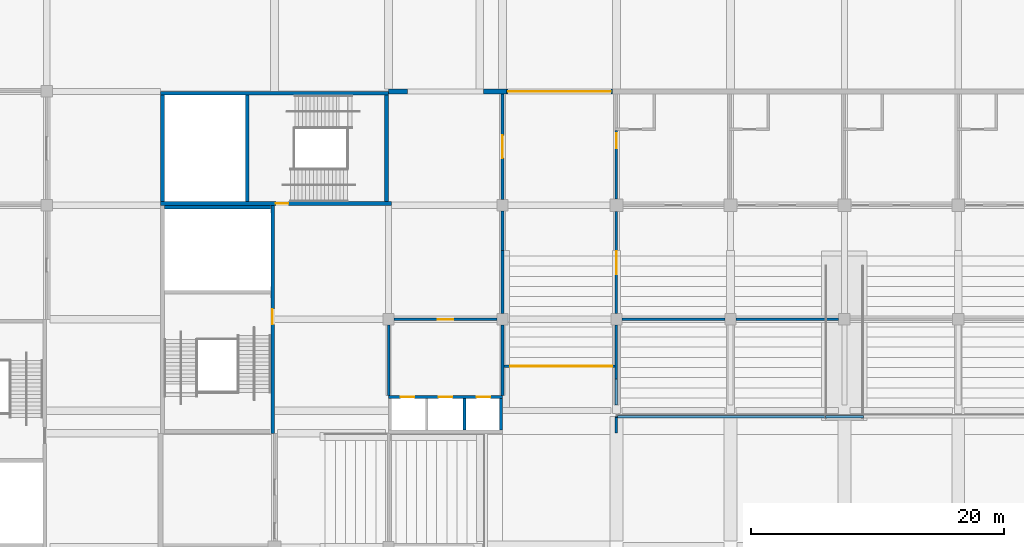
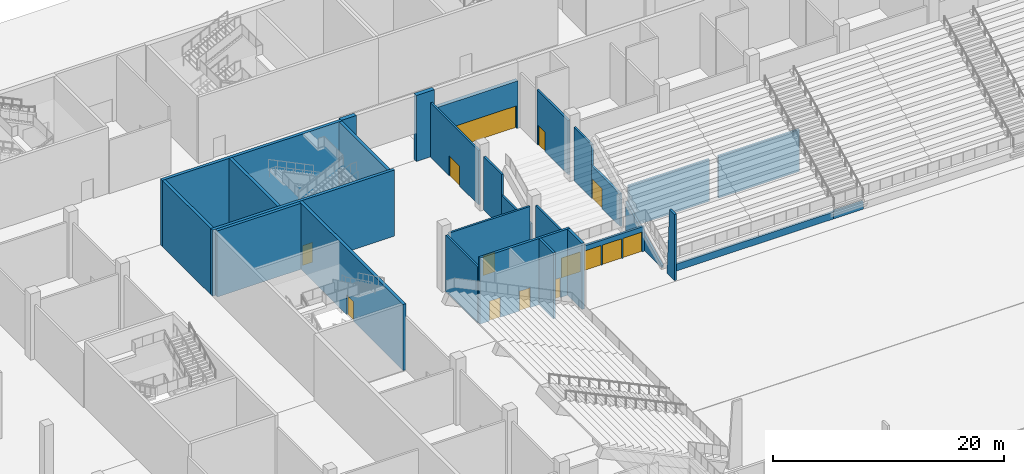
# One storey, part 29 of 92: 29 walls, 14 doors, 14 openings.
"""IFC4 building model written with IfcOpenShell, lengths in metres."""

from ifc_helpers import new_model, si_unit, direction, frame, frame_2d, origin, place, context, subcontext, project, spatial, polyline, rectangle, outline, extrude, material, layer, layer_set, type_object, element, fill, save


model = new_model("IFC4")

# Units and contexts
model_context = context("Model", 3, precision=1e-05, world=origin(), true_north=direction((0.0, 1.0)))
body_context = subcontext(model_context, "Body", "Model", "MODEL_VIEW")
ifc_project = project(units=[si_unit("LENGTHUNIT", "METRE"), si_unit("AREAUNIT", "SQUARE_METRE"), si_unit("VOLUMEUNIT", "CUBIC_METRE"), si_unit("PLANEANGLEUNIT", "RADIAN"), si_unit("MASSUNIT", "GRAM", prefix="KILO")], contexts=[model_context])

# Site, building, storey
site_placement = place(None, origin())
site = spatial("IfcSite", under=ifc_project, at=site_placement, CompositionType="ELEMENT")
building_placement = place(site_placement, origin())
building = spatial("IfcBuilding", under=site, at=building_placement, Name="Silverbay Arena", CompositionType="ELEMENT")
storey_placement = place(building_placement, origin())
storey = spatial("IfcBuildingStorey", under=building, at=storey_placement, Name="L00", CompositionType="ELEMENT", Elevation=0.0)

# Wall, opening, door
ifc_material_1 = material(Name="Concrete Grade C45", Category="concrete")
ifc_layer_1 = layer(ifc_material_1, 0.39990234375)
ifc_layer_set_1 = layer_set([ifc_layer_1], Name="Concrete Grade C45")
wall_type_1 = type_object("IfcWallType", Name="Bowl enclosure wall RC 400 EI 120", PredefinedType="SOLIDWALL", material=ifc_layer_set_1)
wall_1_placement = place(storey_placement, frame((99.300048828125, 126.0, 0.0), z_axis=(0.0, 0.0, 1.0), x_axis=(1.0, 0.0, 0.0)))
wall_1 = element("IfcWall", 1, at=wall_1_placement, inside=storey, type_object=wall_type_1, Name="tunnel floor tunnel NW", PredefinedType="SOLIDWALL", context=body_context, shape_type="SweptSolid", body=[
    extrude(rectangle(XDim=8.39990234375, YDim=0.39990234375, at=frame_2d((4.199951171875, 0.0))), origin(), (0.0, 0.0, 1.0), 5.0),
])
opening_1_placement = place(wall_1_placement, frame((0.14990234375, 0.0, 0.0)))
opening_1 = element("IfcOpeningElement", 2, at=opening_1_placement, cuts=wall_1, Name="Opening L00-225", PredefinedType="OPENING", context=body_context, shape_type="SweptSolid", body=[
    extrude(rectangle(XDim=8.10009765625, YDim=2.39990234375, at=frame_2d((4.050048828125, 1.199951171875))), frame((0.0, 0.2099609375, 0.0), z_axis=(0.0, -1.0, 0.0), x_axis=(1.0, 0.0, 0.0)), (0.0, 0.0, 1.0), 0.419921875),
])
ifc_material_2 = material(Name="Steel", Category="steel")
door_type_1 = type_object("IfcDoorType", Name="Fire door set 8100 x 2400 FD120S tunnel", OperationType="DOUBLE_DOOR_SINGLE_SWING", PredefinedType="DOOR", material=ifc_material_2)
door_1_placement = place(opening_1_placement, origin())
door_1 = element("IfcDoor", 3, at=door_1_placement, inside=storey, type_object=door_type_1, Name="Fire door set L00 tunnel floor tunnel NW", OperationType="DOUBLE_DOOR_SINGLE_SWING", OverallHeight=2.39990234375, OverallWidth=8.10009765625, PredefinedType="DOOR", context=body_context, shape_type="SweptSolid", body=[
    extrude(rectangle(XDim=8.10009765625, YDim=2.39990234375, at=frame_2d((4.050048828125, 1.199951171875))), frame((0.0, 0.02490234375, 0.0), z_axis=(0.0, -1.0, 0.0), x_axis=(1.0, 0.0, 0.0)), (0.0, 0.0, 1.0), 0.050048828125),
])
fill(opening_1, door_1)

ifc_material_3 = material(Name="Concrete Grade C45", Category="concrete")
ifc_layer_2 = layer(ifc_material_3, 0.300048828125)
ifc_layer_set_2 = layer_set([ifc_layer_2], Name="Concrete Grade C45")
wall_type_2 = type_object("IfcWallType", Name="Core wall RC 300 EI 120", PredefinedType="SHEAR", material=ifc_layer_set_2)
wall_2_placement = place(storey_placement, frame((90.25, 117.14990234375, 0.0), z_axis=(0.0, 0.0, 1.0), x_axis=(-1.0, 0.0, 0.0)))
wall_2 = element("IfcWall", 4, at=wall_2_placement, inside=storey, type_object=wall_type_2, Name="Core wall ST-NW1 L00 door side", PredefinedType="SHEAR", context=body_context, shape_type="SweptSolid", body=[
    extrude(rectangle(XDim=18.25, YDim=0.300048828125, at=frame_2d((9.125, 0.0))), origin(), (0.0, 0.0, 1.0), 7.0),
])
opening_2_placement = place(wall_2_placement, frame((8.14990234375, 0.0, 0.0)))
opening_2 = element("IfcOpeningElement", 5, at=opening_2_placement, cuts=wall_2, Name="Opening L00-190", PredefinedType="OPENING", context=body_context, shape_type="SweptSolid", body=[
    extrude(rectangle(XDim=1.0, YDim=2.10009765625, at=frame_2d((0.5, 1.050048828125))), frame((0.0, 0.16015625, 0.0), z_axis=(0.0, -1.0, 0.0), x_axis=(1.0, 0.0, 0.0)), (0.0, 0.0, 1.0), 0.320068359375),
])
ifc_material_4 = material(Name="Steel fire door", Category="steel")
door_type_2 = type_object("IfcDoorType", Name="Stair door 1000 x 2100 fire door", OperationType="SINGLE_SWING_LEFT", PredefinedType="DOOR", material=ifc_material_4)
door_2_placement = place(opening_2_placement, frame((1.0, 0.0, 0.0), z_axis=(0.0, 0.0, 1.0), x_axis=(-1.0, 0.0, 0.0)))
door_2 = element("IfcDoor", 6, at=door_2_placement, inside=storey, type_object=door_type_2, Name="Stair door ST-NW1 L00", OperationType="SINGLE_SWING_RIGHT", OverallHeight=2.10009765625, OverallWidth=1.0, PredefinedType="DOOR", context=body_context, shape_type="SweptSolid", body=[
    extrude(rectangle(XDim=1.0, YDim=2.10009765625, at=frame_2d((0.5, 1.050048828125))), frame((0.0, 0.02490234375, 0.0), z_axis=(0.0, -1.0, 0.0), x_axis=(1.0, 0.0, 0.0)), (0.0, 0.0, 1.0), 0.050048828125),
])
fill(opening_2, door_2)

# Walls
wall_3_placement = place(storey_placement, frame((90.0, 125.85009765625, 0.0), z_axis=(0.0, 0.0, 1.0), x_axis=(-1.0, 0.0, 0.0)))
element("IfcWall", 7, at=wall_3_placement, inside=storey, type_object=wall_type_2, Name="Core wall ST-NW1 L00 far side", PredefinedType="SHEAR", context=body_context, shape_type="SweptSolid", body=[
    extrude(rectangle(XDim=18.0, YDim=0.300048828125, at=frame_2d((9.0, 0.0))), origin(), (0.0, 0.0, 1.0), 7.0),
])
for number, where, z_axis, x_axis, name in (
    (8, (89.85009765625, 117.300048828125, 0.0), (0.0, 0.0, 1.0), (0.0, 1.0, 0.0), "Core wall ST-NW1 L00 end 1"),
    (9, (72.14990234375, 117.300048828125, 0.0), (0.0, 0.0, 1.0), (0.0, 1.0, 0.0), "Core wall ST-NW1 L00 end 2"),
    (10, (78.85009765625, 117.300048828125, 0.0), (0.0, 0.0, 1.0), (0.0, 1.0, 0.0), "Core wall ST-NW1 L00 stair enclosure"),
):
    element("IfcWall", number, at=place(storey_placement, frame(where, z_axis=z_axis, x_axis=x_axis)), inside=storey, type_object=wall_type_2, Name=name, PredefinedType="SHEAR", context=body_context, shape_type="SweptSolid", body=[
        extrude(rectangle(XDim=8.39990234375, YDim=0.300048828125, at=frame_2d((4.199951171875, 0.0))), origin(), (0.0, 0.0, 1.0), 7.0),
    ])

# Wall, opening, door
wall_4_placement = place(storey_placement, frame((80.85009765625, 99.0, 0.0), z_axis=(0.0, 0.0, 1.0), x_axis=(0.0, 1.0, 0.0)))
wall_4 = element("IfcWall", 11, at=wall_4_placement, inside=storey, type_object=wall_type_2, Name="Core wall ST-NW2 L00 door side", PredefinedType="SHEAR", context=body_context, shape_type="SweptSolid", body=[
    extrude(rectangle(XDim=18.0, YDim=0.300048828125, at=frame_2d((9.0, 0.0))), origin(), (0.0, 0.0, 1.0), 7.0),
])
opening_3_placement = place(wall_4_placement, frame((8.60009765625, 0.0, 0.0)))
opening_3 = element("IfcOpeningElement", 12, at=opening_3_placement, cuts=wall_4, Name="Opening L00-191", PredefinedType="OPENING", context=body_context, shape_type="SweptSolid", body=[
    extrude(rectangle(XDim=1.199951171875, YDim=2.10009765625, at=frame_2d((0.60009765625, 1.050048828125))), frame((0.0, 0.16015625, 0.0), z_axis=(0.0, -1.0, 0.0), x_axis=(1.0, 0.0, 0.0)), (0.0, 0.0, 1.0), 0.320068359375),
])
ifc_material_5 = material(Name="Steel fire door", Category="steel")
door_type_3 = type_object("IfcDoorType", Name="Stair door 1200 x 2100 fire door", OperationType="SINGLE_SWING_LEFT", PredefinedType="DOOR", material=ifc_material_5)
door_3_placement = place(opening_3_placement, origin())
door_3 = element("IfcDoor", 13, at=door_3_placement, inside=storey, type_object=door_type_3, Name="Stair door ST-NW2 L00", OperationType="SINGLE_SWING_RIGHT", OverallHeight=2.10009765625, OverallWidth=1.199951171875, PredefinedType="DOOR", context=body_context, shape_type="SweptSolid", body=[
    extrude(rectangle(XDim=1.199951171875, YDim=2.10009765625, at=frame_2d((0.60009765625, 1.050048828125))), frame((0.0, 0.02490234375, 0.0), z_axis=(0.0, -1.0, 0.0), x_axis=(1.0, 0.0, 0.0)), (0.0, 0.0, 1.0), 0.050048828125),
])
fill(opening_3, door_3)

# Walls
wall_5_placement = place(storey_placement, frame((80.699951171875, 116.85009765625, 0.0), z_axis=(0.0, 0.0, 1.0), x_axis=(-1.0, 0.0, 0.0)))
element("IfcWall", 14, at=wall_5_placement, inside=storey, type_object=wall_type_2, Name="Core wall ST-NW2 L00 end 2", PredefinedType="SHEAR", context=body_context, shape_type="SweptSolid", body=[
    extrude(rectangle(XDim=8.39990234375, YDim=0.300048828125, at=frame_2d((4.199951171875, 0.0))), origin(), (0.0, 0.0, 1.0), 7.0),
])
ifc_material_6 = material(Name="Concrete Grade C45", Category="concrete")
ifc_layer_3 = layer(ifc_material_6, 0.199951171875)
ifc_layer_set_3 = layer_set([ifc_layer_3], Name="Concrete Grade C45")
wall_type_3 = type_object("IfcWallType", Name="Lift shaft divider RC 200 EI 120", PredefinedType="SHEAR", material=ifc_layer_set_3)
wall_6_placement = place(storey_placement, frame((96.0, 99.25, 0.0), z_axis=(0.0, 0.0, 1.0), x_axis=(0.0, 1.0, 0.0)))
element("IfcWall", 15, at=wall_6_placement, inside=storey, type_object=wall_type_3, Name="Lift shaft divider LB-NW L00 2", PredefinedType="SHEAR", context=body_context, shape_type="SweptSolid", body=[
    extrude(rectangle(XDim=2.5, YDim=0.199951171875, at=frame_2d((1.25, 0.0))), origin(), (0.0, 0.0, 1.0), 7.0),
])

# Wall, openings, doors
ifc_material_7 = material(Name="Concrete Grade C45", Category="concrete")
ifc_layer_4 = layer(ifc_material_7, 0.25)
ifc_layer_set_4 = layer_set([ifc_layer_4], Name="Concrete Grade C45")
wall_type_4 = type_object("IfcWallType", Name="Lift shaft wall RC 250 EI 120", PredefinedType="SHEAR", material=ifc_layer_set_4)
wall_7_placement = place(storey_placement, frame((90.0, 101.875, 0.0), z_axis=(0.0, 0.0, 1.0), x_axis=(1.0, 0.0, 0.0)))
wall_7 = element("IfcWall", 16, at=wall_7_placement, inside=storey, type_object=wall_type_4, Name="Lift shaft wall LB-NW L00 landing side", PredefinedType="SHEAR", context=body_context, shape_type="SweptSolid", body=[
    extrude(rectangle(XDim=9.0, YDim=0.25, at=frame_2d((4.5, 0.0))), origin(), (0.0, 0.0, 1.0), 7.0),
])
opening_4_placement = place(wall_7_placement, frame((0.949951171875, 0.0, 0.0)))
opening_4 = element("IfcOpeningElement", 17, at=opening_4_placement, cuts=wall_7, Name="Opening L00-208", PredefinedType="OPENING", context=body_context, shape_type="SweptSolid", body=[
    extrude(rectangle(XDim=1.10009765625, YDim=2.10009765625, at=frame_2d((0.550048828125, 1.050048828125))), frame((0.0, 0.135009765625, 0.0), z_axis=(0.0, -1.0, 0.0), x_axis=(1.0, 0.0, 0.0)), (0.0, 0.0, 1.0), 0.27001953125),
])
opening_5_placement = place(wall_7_placement, frame((3.949951171875, 0.0, 0.0)))
opening_5 = element("IfcOpeningElement", 18, at=opening_5_placement, cuts=wall_7, Name="Opening L00-209", PredefinedType="OPENING", context=body_context, shape_type="SweptSolid", body=[
    extrude(rectangle(XDim=1.10009765625, YDim=2.10009765625, at=frame_2d((0.550048828125, 1.050048828125))), frame((0.0, 0.135009765625, 0.0), z_axis=(0.0, -1.0, 0.0), x_axis=(1.0, 0.0, 0.0)), (0.0, 0.0, 1.0), 0.27001953125),
])
opening_6_placement = place(wall_7_placement, frame((6.949951171875, 0.0, 0.0)))
opening_6 = element("IfcOpeningElement", 19, at=opening_6_placement, cuts=wall_7, Name="Opening L00-210", PredefinedType="OPENING", context=body_context, shape_type="SweptSolid", body=[
    extrude(rectangle(XDim=1.10009765625, YDim=2.10009765625, at=frame_2d((0.550048828125, 1.050048828125))), frame((0.0, 0.135009765625, 0.0), z_axis=(0.0, -1.0, 0.0), x_axis=(1.0, 0.0, 0.0)), (0.0, 0.0, 1.0), 0.27001953125),
])
ifc_material_8 = material(Name="Stainless steel", Category="steel")
door_type_4 = type_object("IfcDoorType", Name="LD1 lift landing door 1100 x 2100", OperationType="DOUBLE_DOOR_SLIDING", PredefinedType="DOOR", material=ifc_material_8)
door_4_placement = place(opening_4_placement, origin())
door_4 = element("IfcDoor", 20, at=door_4_placement, inside=storey, type_object=door_type_4, Name="Lift landing door LF9 L00", OperationType="DOUBLE_DOOR_SLIDING", OverallHeight=2.10009765625, OverallWidth=1.10009765625, PredefinedType="DOOR", context=body_context, shape_type="SweptSolid", body=[
    extrude(rectangle(XDim=1.10009765625, YDim=2.10009765625, at=frame_2d((0.550048828125, 1.050048828125))), frame((0.0, 0.02490234375, 0.0), z_axis=(0.0, -1.0, 0.0), x_axis=(1.0, 0.0, 0.0)), (0.0, 0.0, 1.0), 0.050048828125),
])
fill(opening_4, door_4)
door_5_placement = place(opening_5_placement, origin())
door_5 = element("IfcDoor", 21, at=door_5_placement, inside=storey, type_object=door_type_4, Name="Lift landing door LF10 L00", OperationType="DOUBLE_DOOR_SLIDING", OverallHeight=2.10009765625, OverallWidth=1.10009765625, PredefinedType="DOOR", context=body_context, shape_type="SweptSolid", body=[
    extrude(rectangle(XDim=1.10009765625, YDim=2.10009765625, at=frame_2d((0.550048828125, 1.050048828125))), frame((0.0, 0.02490234375, 0.0), z_axis=(0.0, -1.0, 0.0), x_axis=(1.0, 0.0, 0.0)), (0.0, 0.0, 1.0), 0.050048828125),
])
fill(opening_5, door_5)
door_6_placement = place(opening_6_placement, origin())
door_6 = element("IfcDoor", 22, at=door_6_placement, inside=storey, type_object=door_type_4, Name="Lift landing door LF11 L00", OperationType="DOUBLE_DOOR_SLIDING", OverallHeight=2.10009765625, OverallWidth=1.10009765625, PredefinedType="DOOR", context=body_context, shape_type="SweptSolid", body=[
    extrude(rectangle(XDim=1.10009765625, YDim=2.10009765625, at=frame_2d((0.550048828125, 1.050048828125))), frame((0.0, 0.02490234375, 0.0), z_axis=(0.0, -1.0, 0.0), x_axis=(1.0, 0.0, 0.0)), (0.0, 0.0, 1.0), 0.050048828125),
])
fill(opening_6, door_6)

# Wall
wall_8_placement = place(storey_placement, frame((98.875, 99.25, 0.0), z_axis=(0.0, 0.0, 1.0), x_axis=(0.0, 1.0, 0.0)))
element("IfcWall", 23, at=wall_8_placement, inside=storey, type_object=wall_type_4, Name="Lift shaft wall LB-NW L00 end", PredefinedType="SHEAR", context=body_context, shape_type="SweptSolid", body=[
    extrude(rectangle(XDim=2.5, YDim=0.25, at=frame_2d((1.25, 0.0))), origin(), (0.0, 0.0, 1.0), 7.0),
])

# Wall, opening, door
ifc_material_9 = material(Name="Masonry blockwork partition", Category="masonry")
ifc_layer_5 = layer(ifc_material_9, 0.199951171875)
ifc_layer_set_5 = layer_set([ifc_layer_5], Name="Masonry blockwork partition")
wall_type_5 = type_object("IfcWallType", Name="Partition 200 EI 120", PredefinedType="PARTITIONING", material=ifc_layer_set_5)
wall_9_placement = place(storey_placement, frame((90.449951171875, 108.0, 0.0), z_axis=(0.0, 0.0, 1.0), x_axis=(1.0, 0.0, 0.0)))
wall_9 = element("IfcWall", 24, at=wall_9_placement, inside=storey, type_object=wall_type_5, Name="Partition wall", PredefinedType="PARTITIONING", context=body_context, shape_type="SweptSolid", body=[
    extrude(rectangle(XDim=8.10009765625, YDim=0.199951171875, at=frame_2d((4.050048828125, 0.0))), origin(), (0.0, 0.0, 1.0), 5.75),
])
opening_7_placement = place(wall_9_placement, frame((3.449951171875, 0.0, 0.0)))
opening_7 = element("IfcOpeningElement", 25, at=opening_7_placement, cuts=wall_9, Name="Opening L00-019", PredefinedType="OPENING", context=body_context, shape_type="SweptSolid", body=[
    extrude(rectangle(XDim=1.199951171875, YDim=2.10009765625, at=frame_2d((0.60009765625, 1.050048828125))), frame((0.0, 0.10986328125, 0.0), z_axis=(0.0, -1.0, 0.0), x_axis=(1.0, 0.0, 0.0)), (0.0, 0.0, 1.0), 0.219970703125),
])
ifc_material_10 = material(Name="Steel faced timber", Category="steel")
door_type_5 = type_object("IfcDoorType", Name="Single leaf door 1200 x 2100 FD60", OperationType="SINGLE_SWING_LEFT", PredefinedType="DOOR", material=ifc_material_10)
door_7_placement = place(opening_7_placement, origin())
door_7 = element("IfcDoor", 26, at=door_7_placement, inside=storey, type_object=door_type_5, Name="Door L00-019", OperationType="SINGLE_SWING_LEFT", OverallHeight=2.10009765625, OverallWidth=1.199951171875, PredefinedType="DOOR", context=body_context, shape_type="SweptSolid", body=[
    extrude(rectangle(XDim=1.199951171875, YDim=2.10009765625, at=frame_2d((0.60009765625, 1.050048828125))), frame((0.0, 0.02490234375, 0.0), z_axis=(0.0, -1.0, 0.0), x_axis=(1.0, 0.0, 0.0)), (0.0, 0.0, 1.0), 0.050048828125),
])
fill(opening_7, door_7)

# Walls
for number, where, z_axis, x_axis, name in (
    (27, (90.0, 102.0, 0.0), (0.0, 0.0, 1.0), (0.0, 1.0, 0.0), "Partition wall"),
    (28, (99.0, 102.0, 0.0), (0.0, 0.0, 1.0), (0.0, 1.0, 0.0), "Partition wall"),
):
    element("IfcWall", number, at=place(storey_placement, frame(where, z_axis=z_axis, x_axis=x_axis)), inside=storey, type_object=wall_type_5, Name=name, PredefinedType="PARTITIONING", context=body_context, shape_type="SweptSolid", body=[
        extrude(rectangle(XDim=5.550048828125, YDim=0.199951171875, at=frame_2d((2.77490234375, 0.0))), origin(), (0.0, 0.0, 1.0), 5.949951171875),
    ])
wall_10_placement = place(storey_placement, frame((99.0, 108.449951171875, 0.0), z_axis=(0.0, 0.0, 1.0), x_axis=(0.0, 1.0, 0.0)))
element("IfcWall", 29, at=wall_10_placement, inside=storey, type_object=wall_type_5, Name="Partition wall", PredefinedType="PARTITIONING", context=body_context, shape_type="SweptSolid", body=[
    extrude(rectangle(XDim=4.97900390625, YDim=0.199951171875, at=frame_2d((2.489501953125, 0.0))), origin(), (0.0, 0.0, 1.0), 3.43896484375),
])

# Wall, opening, door
wall_11_placement = place(storey_placement, frame((99.0, 117.449951171875, 0.0), z_axis=(0.0, 0.0, 1.0), x_axis=(0.0, 1.0, 0.0)))
wall_11 = element("IfcWall", 30, at=wall_11_placement, inside=storey, type_object=wall_type_5, Name="Partition wall", PredefinedType="PARTITIONING", context=body_context, shape_type="SweptSolid", body=[
    extrude(rectangle(XDim=8.35009765625, YDim=0.199951171875, at=frame_2d((4.175048828125, 0.0))), origin(), (0.0, 0.0, 1.0), 5.75),
])
opening_8_placement = place(wall_11_placement, frame((3.27490234375, 0.0, 0.0)))
opening_8 = element("IfcOpeningElement", 31, at=opening_8_placement, cuts=wall_11, Name="Opening L00-080", PredefinedType="OPENING", context=body_context, shape_type="SweptSolid", body=[
    extrude(rectangle(XDim=1.800048828125, YDim=2.10009765625, at=frame_2d((0.89990234375, 1.050048828125))), frame((0.0, 0.10986328125, 0.0), z_axis=(0.0, -1.0, 0.0), x_axis=(1.0, 0.0, 0.0)), (0.0, 0.0, 1.0), 0.219970703125),
])
ifc_material_11 = material(Name="Steel faced timber", Category="steel")
door_type_6 = type_object("IfcDoorType", Name="Double leaf door 1800 x 2100 FD120", OperationType="DOUBLE_DOOR_DOUBLE_SWING", PredefinedType="DOOR", material=ifc_material_11)
door_8_placement = place(opening_8_placement, origin())
door_8 = element("IfcDoor", 32, at=door_8_placement, inside=storey, type_object=door_type_6, Name="Door L00-080", OperationType="DOUBLE_DOOR_DOUBLE_SWING", OverallHeight=2.10009765625, OverallWidth=1.800048828125, PredefinedType="DOOR", context=body_context, shape_type="SweptSolid", body=[
    extrude(rectangle(XDim=1.800048828125, YDim=2.10009765625, at=frame_2d((0.89990234375, 1.050048828125))), frame((0.0, 0.02490234375, 0.0), z_axis=(0.0, -1.0, 0.0), x_axis=(1.0, 0.0, 0.0)), (0.0, 0.0, 1.0), 0.050048828125),
])
fill(opening_8, door_8)

# Walls
wall_12_placement = place(storey_placement, frame((108.0, 99.010009765625, 0.0), z_axis=(0.0, 0.0, 1.0), x_axis=(0.0, 1.0, 0.0)))
element("IfcWall", 33, at=wall_12_placement, inside=storey, type_object=wall_type_5, Name="Partition wall", PredefinedType="PARTITIONING", context=body_context, shape_type="SweptSolid", body=[
    extrude(outline(polyline([(0.0, 0.0), (1.340087890625, 0.0), (1.340087890625, -0.188720703125), (0.893310546875, 7.0), (0.0, 7.0), (0.0, 0.0)])), frame((0.0, 0.10009765625, 0.0), z_axis=(0.0, -1.0, 0.0), x_axis=(1.0, 0.0, 0.0)), (0.0, 0.0, 1.0), 0.199951171875),
])
wall_13_placement = place(storey_placement, frame((108.0, 101.25, 0.0), z_axis=(0.0, 0.0, 1.0), x_axis=(0.0, 1.0, 0.0)))
element("IfcWall", 34, at=wall_13_placement, inside=storey, type_object=wall_type_5, Name="Partition wall", PredefinedType="PARTITIONING", context=body_context, shape_type="SweptSolid", body=[
    extrude(outline(polyline([(0.0, 0.0), (6.300048828125, 0.0), (6.300048828125, 3.231201171875), (4.361572265625, 2.310546875), (0.0, 0.23876953125), (0.0, 0.0)])), frame((0.0, 0.10009765625, 0.0), z_axis=(0.0, -1.0, 0.0), x_axis=(1.0, 0.0, 0.0)), (0.0, 0.0, 1.0), 0.199951171875),
])

# Wall, opening, door
wall_14_placement = place(storey_placement, frame((108.0, 108.449951171875, 0.0), z_axis=(0.0, 0.0, 1.0), x_axis=(0.0, 1.0, 0.0)))
wall_14 = element("IfcWall", 35, at=wall_14_placement, inside=storey, type_object=wall_type_5, Name="Partition wall", PredefinedType="PARTITIONING", context=body_context, shape_type="SweptSolid", body=[
    extrude(rectangle(XDim=4.97900390625, YDim=0.199951171875, at=frame_2d((2.489501953125, 0.0))), origin(), (0.0, 0.0, 1.0), 3.43896484375),
])
opening_9_placement = place(wall_14_placement, frame((3.125, 0.0, 0.0)))
opening_9 = element("IfcOpeningElement", 36, at=opening_9_placement, cuts=wall_14, Name="Opening L00-081", PredefinedType="OPENING", context=body_context, shape_type="SweptSolid", body=[
    extrude(rectangle(XDim=1.800048828125, YDim=2.10009765625, at=frame_2d((0.89990234375, 1.050048828125))), frame((0.0, 0.10986328125, 0.0), z_axis=(0.0, -1.0, 0.0), x_axis=(1.0, 0.0, 0.0)), (0.0, 0.0, 1.0), 0.219970703125),
])
door_9_placement = place(opening_9_placement, frame((1.800048828125, 0.0, 0.0), z_axis=(0.0, 0.0, 1.0), x_axis=(-1.0, 0.0, 0.0)))
door_9 = element("IfcDoor", 37, at=door_9_placement, inside=storey, type_object=door_type_6, Name="Door L00-081", OperationType="DOUBLE_DOOR_DOUBLE_SWING", OverallHeight=2.10009765625, OverallWidth=1.800048828125, PredefinedType="DOOR", context=body_context, shape_type="SweptSolid", body=[
    extrude(rectangle(XDim=1.800048828125, YDim=2.10009765625, at=frame_2d((0.89990234375, 1.050048828125))), frame((0.0, 0.02490234375, 0.0), z_axis=(0.0, -1.0, 0.0), x_axis=(1.0, 0.0, 0.0)), (0.0, 0.0, 1.0), 0.050048828125),
])
fill(opening_9, door_9)

wall_15_placement = place(storey_placement, frame((108.0, 117.5, 0.0), z_axis=(0.0, 0.0, 1.0), x_axis=(0.0, 1.0, 0.0)))
wall_15 = element("IfcWall", 38, at=wall_15_placement, inside=storey, type_object=wall_type_5, Name="Partition wall", PredefinedType="PARTITIONING", context=body_context, shape_type="SweptSolid", body=[
    extrude(rectangle(XDim=5.39990234375, YDim=0.199951171875, at=frame_2d((2.699951171875, 0.0))), origin(), (0.0, 0.0, 1.0), 5.75),
])
opening_10_placement = place(wall_15_placement, frame((4.0, 0.0, 0.0)))
opening_10 = element("IfcOpeningElement", 39, at=opening_10_placement, cuts=wall_15, Name="Opening L00-100", PredefinedType="OPENING", context=body_context, shape_type="SweptSolid", body=[
    extrude(rectangle(XDim=1.199951171875, YDim=2.10009765625, at=frame_2d((0.60009765625, 1.050048828125))), frame((0.0, 0.10986328125, 0.0), z_axis=(0.0, -1.0, 0.0), x_axis=(1.0, 0.0, 0.0)), (0.0, 0.0, 1.0), 0.219970703125),
])
ifc_material_12 = material(Name="Steel faced timber", Category="steel")
door_type_7 = type_object("IfcDoorType", Name="Single leaf door 1200 x 2100 FD120", OperationType="SINGLE_SWING_LEFT", PredefinedType="DOOR", material=ifc_material_12)
door_10_placement = place(opening_10_placement, frame((1.199951171875, 0.0, 0.0), z_axis=(0.0, 0.0, 1.0), x_axis=(-1.0, 0.0, 0.0)))
door_10 = element("IfcDoor", 40, at=door_10_placement, inside=storey, type_object=door_type_7, Name="Door L00-100", OperationType="SINGLE_SWING_LEFT", OverallHeight=2.10009765625, OverallWidth=1.199951171875, PredefinedType="DOOR", context=body_context, shape_type="SweptSolid", body=[
    extrude(rectangle(XDim=1.199951171875, YDim=2.10009765625, at=frame_2d((0.60009765625, 1.050048828125))), frame((0.0, 0.02490234375, 0.0), z_axis=(0.0, -1.0, 0.0), x_axis=(1.0, 0.0, 0.0)), (0.0, 0.0, 1.0), 0.050048828125),
])
fill(opening_10, door_10)

# Walls
wall_16_placement = place(storey_placement, frame((99.0, 113.428955078125, 0.0), z_axis=(0.0, 0.0, 1.0), x_axis=(0.0, 1.0, 0.0)))
element("IfcWall", 41, at=wall_16_placement, inside=storey, type_object=wall_type_5, Name="Partition wall", PredefinedType="PARTITIONING", context=body_context, shape_type="SweptSolid", body=[
    extrude(rectangle(XDim=3.12109375, YDim=0.199951171875, at=frame_2d((1.560546875, 0.0))), origin(), (0.0, 0.0, 1.0), 5.64990234375),
])
wall_17_placement = place(storey_placement, frame((108.0, 113.428955078125, 0.0), z_axis=(0.0, 0.0, 1.0), x_axis=(0.0, 1.0, 0.0)))
element("IfcWall", 42, at=wall_17_placement, inside=storey, type_object=wall_type_5, Name="Partition wall", PredefinedType="PARTITIONING", context=body_context, shape_type="SweptSolid", body=[
    extrude(rectangle(XDim=3.071044921875, YDim=0.199951171875, at=frame_2d((1.53564453125, 0.0))), origin(), (0.0, 0.0, 1.0), 5.64990234375),
])
ifc_material_13 = material(Name="Gypsum board partition on steel studs", Category="steel")
ifc_layer_6 = layer(ifc_material_13, 0.199951171875)
ifc_layer_set_6 = layer_set([ifc_layer_6], Name="Gypsum board partition on steel studs")
wall_type_6 = type_object("IfcWallType", Name="Partition 200 EI 60", PredefinedType="PARTITIONING", material=ifc_layer_set_6)
for number, where, z_axis, x_axis, name in (
    (43, (117.449951171875, 108.0, 0.0), (0.0, 0.0, 1.0), (1.0, 0.0, 0.0), "Partition wall"),
    (44, (108.449951171875, 108.0, 0.0), (0.0, 0.0, 1.0), (1.0, 0.0, 0.0), "Partition wall"),
):
    element("IfcWall", number, at=place(storey_placement, frame(where, z_axis=z_axis, x_axis=x_axis)), inside=storey, type_object=wall_type_6, Name=name, PredefinedType="PARTITIONING", context=body_context, shape_type="SweptSolid", body=[
        extrude(rectangle(XDim=8.10009765625, YDim=0.199951171875, at=frame_2d((4.050048828125, 0.0))), origin(), (0.0, 0.0, 1.0), 4.445068359375),
    ])
ifc_material_14 = material(Name="Concrete Grade C45", Category="concrete")
ifc_layer_7 = layer(ifc_material_14, 0.39990234375)
ifc_layer_set_7 = layer_set([ifc_layer_7], Name="Concrete Grade C45")
wall_type_7 = type_object("IfcWallType", Name="RC back wall 400 EI 120", PredefinedType="SOLIDWALL", material=ifc_layer_set_7)
wall_18_placement = place(storey_placement, frame((99.300048828125, 126.0, 0.0), z_axis=(0.0, 0.0, 1.0), x_axis=(-1.0, 0.0, 0.0)))
element("IfcWall", 45, at=wall_18_placement, inside=storey, type_object=wall_type_7, Name="Bowl back wall L00 11", PredefinedType="SOLIDWALL", context=body_context, shape_type="SweptSolid", body=[
    extrude(rectangle(XDim=1.800048828125, YDim=0.39990234375, at=frame_2d((0.89990234375, 0.0))), origin(), (0.0, 0.0, 1.0), 7.0),
])
wall_19_placement = place(storey_placement, frame((91.5, 126.0, 0.0), z_axis=(0.0, 0.0, 1.0), x_axis=(-1.0, 0.0, 0.0)))
element("IfcWall", 46, at=wall_19_placement, inside=storey, type_object=wall_type_7, Name="Bowl back wall L00 12", PredefinedType="SOLIDWALL", context=body_context, shape_type="SweptSolid", body=[
    extrude(rectangle(XDim=1.5, YDim=0.39990234375, at=frame_2d((0.75, 0.0))), origin(), (0.0, 0.0, 1.0), 7.0),
])
ifc_material_15 = material(Name="Concrete Grade C45", Category="concrete")
ifc_layer_8 = layer(ifc_material_15, 0.199951171875)
ifc_layer_set_8 = layer_set([ifc_layer_8], Name="Concrete Grade C45")
wall_type_8 = type_object("IfcWallType", Name="Stand front wall RC 200 EI 120", PredefinedType="SOLIDWALL", material=ifc_layer_set_8)
wall_20_placement = place(storey_placement, frame((108.10009765625, 100.300048828125, 0.0), z_axis=(0.0, 0.0, 1.0), x_axis=(1.0, 0.0, 0.0)))
element("IfcWall", 47, at=wall_20_placement, inside=storey, type_object=wall_type_8, Name="Stand front wall", PredefinedType="SOLIDWALL", context=body_context, shape_type="SweptSolid", body=[
    extrude(rectangle(XDim=16.39990234375, YDim=0.199951171875, at=frame_2d((8.199951171875, 0.0))), origin(), (0.0, 0.0, 1.0), 0.739990234375),
])
wall_21_placement = place(storey_placement, frame((124.5, 100.300048828125, 0.0), z_axis=(0.0, 0.0, 1.0), x_axis=(1.0, 0.0, 0.0)))
element("IfcWall", 48, at=wall_21_placement, inside=storey, type_object=wall_type_8, Name="Stand front wall", PredefinedType="SOLIDWALL", context=body_context, shape_type="SweptSolid", body=[
    extrude(rectangle(XDim=3.0, YDim=0.199951171875, at=frame_2d((1.5, 0.0))), origin(), (0.0, 0.0, 1.0), 0.811279296875),
])

# Wall, openings, doors
ifc_material_16 = material(Name="Concrete Grade C45", Category="concrete")
ifc_layer_9 = layer(ifc_material_16, 0.199951171875)
ifc_layer_set_9 = layer_set([ifc_layer_9], Name="Concrete Grade C45")
wall_type_9 = type_object("IfcWallType", Name="Tunnel mouth wall RC 200 EI 120", PredefinedType="SOLIDWALL", material=ifc_layer_set_9)
wall_22_placement = place(storey_placement, frame((99.10009765625, 104.300048828125, 0.0), z_axis=(0.0, 0.0, 1.0), x_axis=(1.0, 0.0, 0.0)))
wall_22 = element("IfcWall", 49, at=wall_22_placement, inside=storey, type_object=wall_type_9, Name="tunnel mouth floor tunnel NW", PredefinedType="SOLIDWALL", context=body_context, shape_type="SweptSolid", body=[
    extrude(rectangle(XDim=8.7998046875, YDim=0.199951171875, at=frame_2d((4.39990234375, 0.0))), origin(), (0.0, 0.0, 1.0), 2.639892578125),
])
opening_11_placement = place(wall_22_placement, frame((0.5, 0.0, 0.0)))
opening_11 = element("IfcOpeningElement", 50, at=opening_11_placement, cuts=wall_22, Name="Opening L00-234", PredefinedType="OPENING", context=body_context, shape_type="SweptSolid", body=[
    extrude(rectangle(XDim=1.89990234375, YDim=2.10009765625, at=frame_2d((0.949951171875, 1.050048828125))), frame((0.0, 0.10986328125, 0.0), z_axis=(0.0, -1.0, 0.0), x_axis=(1.0, 0.0, 0.0)), (0.0, 0.0, 1.0), 0.219970703125),
])
opening_12_placement = place(wall_22_placement, frame((2.550048828125, 0.0, 0.0)))
opening_12 = element("IfcOpeningElement", 51, at=opening_12_placement, cuts=wall_22, Name="Opening L00-235", PredefinedType="OPENING", context=body_context, shape_type="SweptSolid", body=[
    extrude(rectangle(XDim=1.89990234375, YDim=2.10009765625, at=frame_2d((0.949951171875, 1.050048828125))), frame((0.0, 0.10986328125, 0.0), z_axis=(0.0, -1.0, 0.0), x_axis=(1.0, 0.0, 0.0)), (0.0, 0.0, 1.0), 0.219970703125),
])
opening_13_placement = place(wall_22_placement, frame((4.60009765625, 0.0, 0.0)))
opening_13 = element("IfcOpeningElement", 52, at=opening_13_placement, cuts=wall_22, Name="Opening L00-236", PredefinedType="OPENING", context=body_context, shape_type="SweptSolid", body=[
    extrude(rectangle(XDim=1.89990234375, YDim=2.10009765625, at=frame_2d((0.949951171875, 1.050048828125))), frame((0.0, 0.10986328125, 0.0), z_axis=(0.0, -1.0, 0.0), x_axis=(1.0, 0.0, 0.0)), (0.0, 0.0, 1.0), 0.219970703125),
])
opening_14_placement = place(wall_22_placement, frame((6.64990234375, 0.0, 0.0)))
opening_14 = element("IfcOpeningElement", 53, at=opening_14_placement, cuts=wall_22, Name="Opening L00-237", PredefinedType="OPENING", context=body_context, shape_type="SweptSolid", body=[
    extrude(rectangle(XDim=1.89990234375, YDim=2.10009765625, at=frame_2d((0.949951171875, 1.050048828125))), frame((0.0, 0.10986328125, 0.0), z_axis=(0.0, -1.0, 0.0), x_axis=(1.0, 0.0, 0.0)), (0.0, 0.0, 1.0), 0.219970703125),
])
ifc_material_17 = material(Name="Steel", Category="steel")
door_type_8 = type_object("IfcDoorType", Name="Fire door pair 1900 x 2100 FD120S tunnel", OperationType="DOUBLE_DOOR_SINGLE_SWING", PredefinedType="DOOR", material=ifc_material_17)
door_11_placement = place(opening_11_placement, origin())
door_11 = element("IfcDoor", 54, at=door_11_placement, inside=storey, type_object=door_type_8, Name="Fire door pair L00 tunnel mouth floor tunnel NW", OperationType="DOUBLE_DOOR_SINGLE_SWING", OverallHeight=2.10009765625, OverallWidth=1.89990234375, PredefinedType="DOOR", context=body_context, shape_type="SweptSolid", body=[
    extrude(rectangle(XDim=1.89990234375, YDim=2.10009765625, at=frame_2d((0.949951171875, 1.050048828125))), frame((0.0, 0.02490234375, 0.0), z_axis=(0.0, -1.0, 0.0), x_axis=(1.0, 0.0, 0.0)), (0.0, 0.0, 1.0), 0.050048828125),
])
fill(opening_11, door_11)
door_12_placement = place(opening_12_placement, origin())
door_12 = element("IfcDoor", 55, at=door_12_placement, inside=storey, type_object=door_type_8, Name="Fire door pair L00 tunnel mouth floor tunnel NW", OperationType="DOUBLE_DOOR_SINGLE_SWING", OverallHeight=2.10009765625, OverallWidth=1.89990234375, PredefinedType="DOOR", context=body_context, shape_type="SweptSolid", body=[
    extrude(rectangle(XDim=1.89990234375, YDim=2.10009765625, at=frame_2d((0.949951171875, 1.050048828125))), frame((0.0, 0.02490234375, 0.0), z_axis=(0.0, -1.0, 0.0), x_axis=(1.0, 0.0, 0.0)), (0.0, 0.0, 1.0), 0.050048828125),
])
fill(opening_12, door_12)
door_13_placement = place(opening_13_placement, origin())
door_13 = element("IfcDoor", 56, at=door_13_placement, inside=storey, type_object=door_type_8, Name="Fire door pair L00 tunnel mouth floor tunnel NW", OperationType="DOUBLE_DOOR_SINGLE_SWING", OverallHeight=2.10009765625, OverallWidth=1.89990234375, PredefinedType="DOOR", context=body_context, shape_type="SweptSolid", body=[
    extrude(rectangle(XDim=1.89990234375, YDim=2.10009765625, at=frame_2d((0.949951171875, 1.050048828125))), frame((0.0, 0.02490234375, 0.0), z_axis=(0.0, -1.0, 0.0), x_axis=(1.0, 0.0, 0.0)), (0.0, 0.0, 1.0), 0.050048828125),
])
fill(opening_13, door_13)
door_14_placement = place(opening_14_placement, origin())
door_14 = element("IfcDoor", 57, at=door_14_placement, inside=storey, type_object=door_type_8, Name="Fire door pair L00 tunnel mouth floor tunnel NW", OperationType="DOUBLE_DOOR_SINGLE_SWING", OverallHeight=2.10009765625, OverallWidth=1.89990234375, PredefinedType="DOOR", context=body_context, shape_type="SweptSolid", body=[
    extrude(rectangle(XDim=1.89990234375, YDim=2.10009765625, at=frame_2d((0.949951171875, 1.050048828125))), frame((0.0, 0.02490234375, 0.0), z_axis=(0.0, -1.0, 0.0), x_axis=(1.0, 0.0, 0.0)), (0.0, 0.0, 1.0), 0.050048828125),
])
fill(opening_14, door_14)

save(model, "model.ifc")
